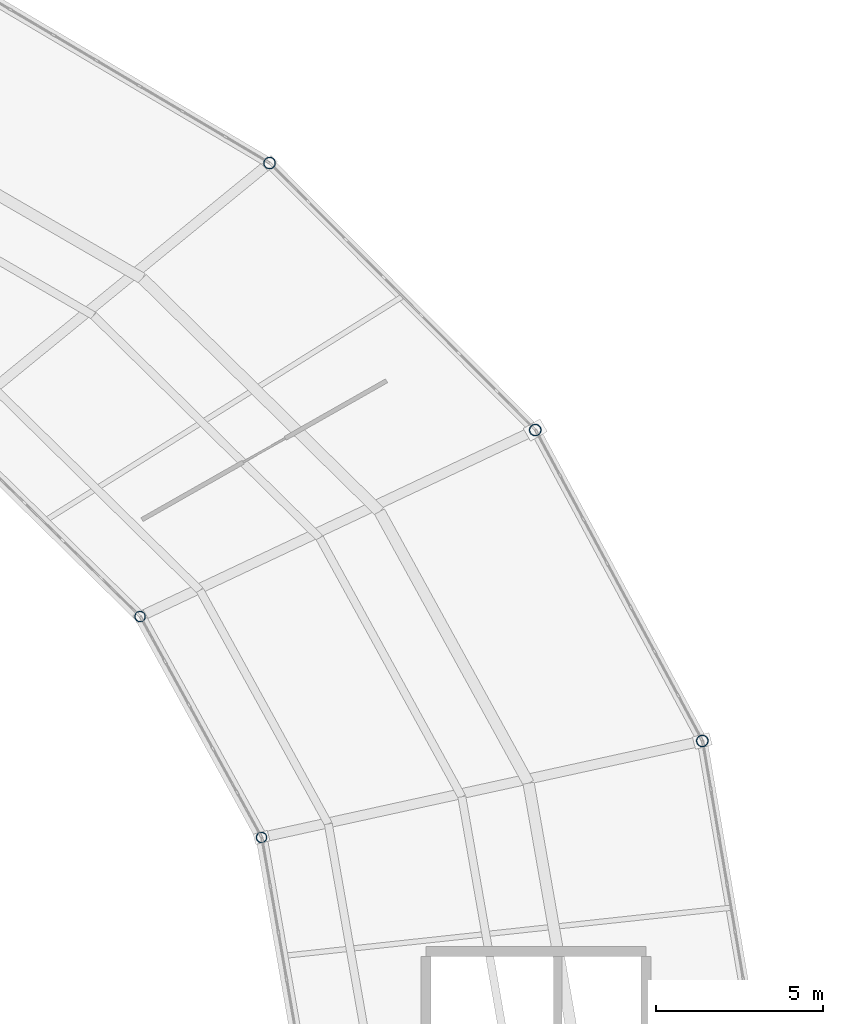
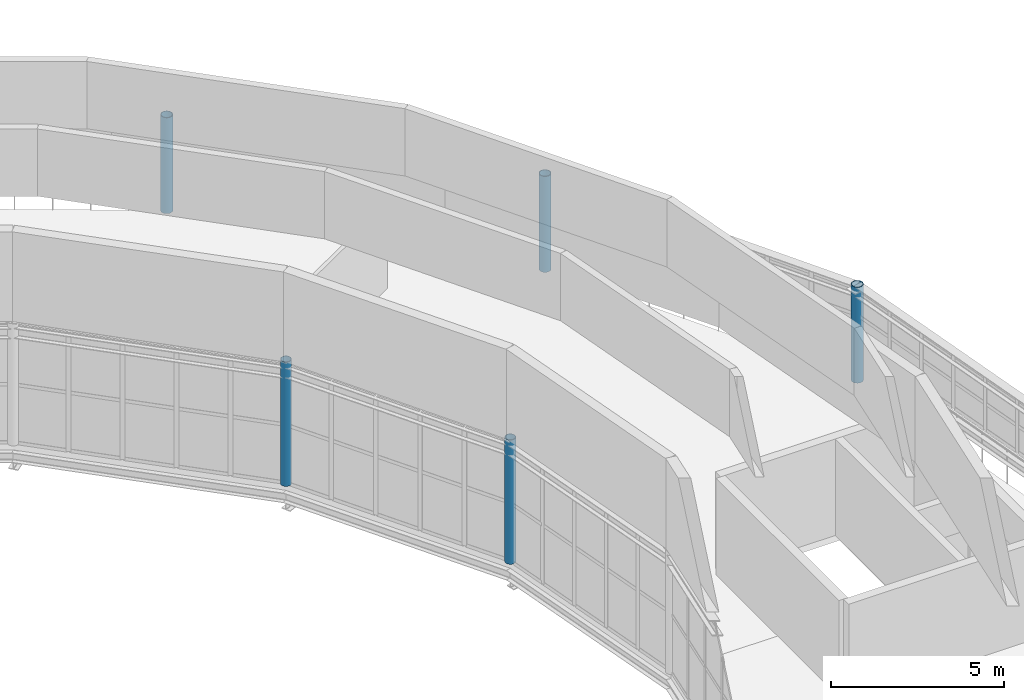
# One storey, part 21 of 123: 5 columns.
"""IFC4 building model written with IfcOpenShell, lengths in metres."""

from ifc_helpers import new_model, si_unit, direction, frame, origin, origin_2d, place, context, subcontext, project, spatial, hollow_circle, extrude, material, material_profile, profile_set, type_object, element, save


model = new_model("IFC4")

# Units and contexts
model_context = context("Model", 3, precision=1e-05, world=origin(), true_north=direction((0.0, 1.0)))
body_context = subcontext(model_context, "Body", "Model", "MODEL_VIEW")
ifc_project = project(units=[si_unit("LENGTHUNIT", "METRE"), si_unit("AREAUNIT", "SQUARE_METRE"), si_unit("VOLUMEUNIT", "CUBIC_METRE"), si_unit("PLANEANGLEUNIT", "RADIAN"), si_unit("MASSUNIT", "GRAM", prefix="KILO")], contexts=[model_context])

# Site, building, storey
site_placement = place(None, origin())
site = spatial("IfcSite", under=ifc_project, at=site_placement, CompositionType="ELEMENT")
building_placement = place(site_placement, origin())
building = spatial("IfcBuilding", under=site, at=building_placement, Name="Kildeholm Park Wholesale Market", CompositionType="ELEMENT")
storey_placement = place(building_placement, frame((0.0, 0.0, 9.60009765625)))
storey = spatial("IfcBuildingStorey", under=building, at=storey_placement, Name="L02", CompositionType="ELEMENT", Elevation=9.60009765625)

# Columns
ifc_material = material(Name="Steel S355", Category="steel")
ifc_material_profile_1 = material_profile(ifc_material, hollow_circle(Radius=0.161865234375, WallThickness=0.01611328125, at=origin_2d()), Name="CHS 323.9x16")
ifc_profile_set_1 = profile_set([ifc_material_profile_1], Name="Steel S355")
column_type_1 = type_object("IfcColumnType", Name="Column C-S09 CHS 323.9x16", PredefinedType="COLUMN", material=ifc_profile_set_1)
for number, where, z_axis, x_axis, name in (
    (1, (134.256103515625, 96.617919921875, 0.0), (0.0, 0.0, 1.0), (0.965925826289, 0.258819045103, 0.0), "Column V1-IN-01 L02 COL-0012"),
    (2, (130.610107421875, 103.25, 0.0), (0.0, 0.0, 1.0), (0.866025403784, 0.5, 0.0), "Column V1-IN-02 L02 COL-0021"),
):
    element("IfcColumn", number, at=place(storey_placement, frame(where, z_axis=z_axis, x_axis=x_axis)), inside=storey, type_object=column_type_1, Name=name, PredefinedType="COLUMN", context=body_context, shape_type="SweptSolid", body=[
        extrude(hollow_circle(Radius=0.161865234375, WallThickness=0.01611328125, at=origin_2d()), origin(), (0.0, 0.0, 1.0), 4.3798828125),
    ])
ifc_material_profile_2 = material_profile(ifc_material, hollow_circle(Radius=0.177734375, WallThickness=0.01611328125, at=origin_2d()), Name="CHS 355.6x16")
ifc_profile_set_2 = profile_set([ifc_material_profile_2], Name="Steel S355")
column_type_2 = type_object("IfcColumnType", Name="Column C-S10 CHS 355.6x16", PredefinedType="COLUMN", material=ifc_profile_set_2)
for number, where, z_axis, x_axis, name in (
    (3, (147.489013671875, 99.51611328125, 0.0), (0.0, 0.0, 1.0), (0.965925826289, 0.258819045103, 0.0), "Column V1-MD-01 L02 COL-0015"),
    (4, (142.47412109375, 108.85009765625, 0.0), (0.0, 0.0, 1.0), (0.866025403784, 0.5, 0.0), "Column V1-MD-02 L02 COL-0024"),
    (5, (134.4970703125, 116.864990234375, 0.0), (0.0, 0.0, 1.0), (0.707106781187, 0.707106781187, 0.0), "Column V1-MD-03 L02 COL-0033"),
):
    element("IfcColumn", number, at=place(storey_placement, frame(where, z_axis=z_axis, x_axis=x_axis)), inside=storey, type_object=column_type_2, Name=name, PredefinedType="COLUMN", context=body_context, shape_type="SweptSolid", body=[
        extrude(hollow_circle(Radius=0.177734375, WallThickness=0.01611328125, at=origin_2d()), origin(), (0.0, 0.0, 1.0), 3.3798828125),
    ])

save(model, "model.ifc")
